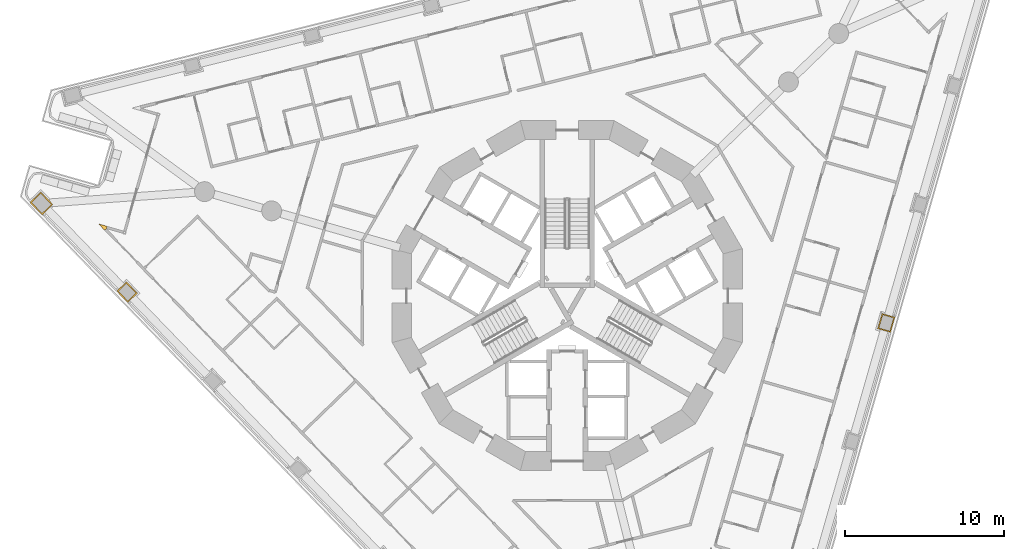
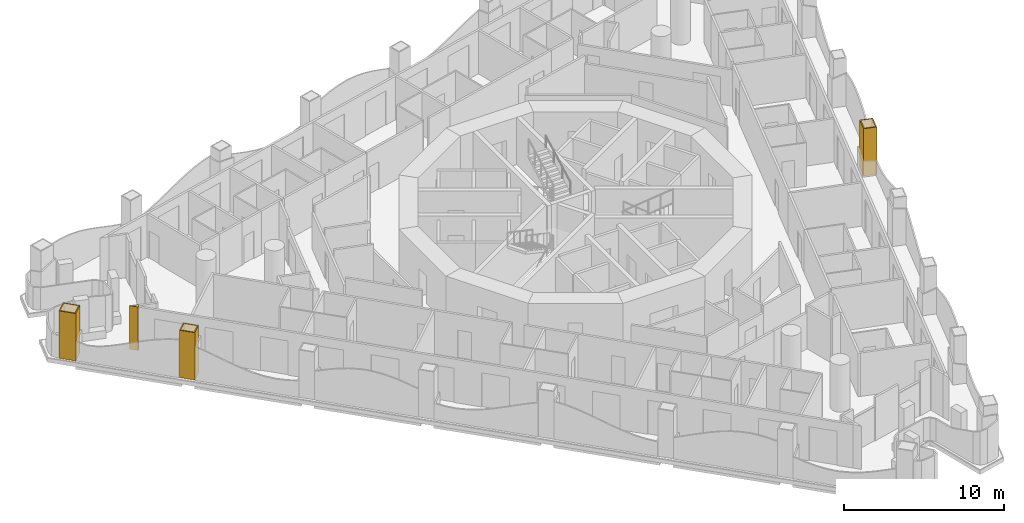
# One storey, part 14 of 18: 4 coverings.
"""IFC4 building model written with IfcOpenShell, lengths in metres."""

from ifc_helpers import new_model, si_unit, direction, frame, origin, place, context, subcontext, project, spatial, polyline, outline, extrude, material, layer, layer_set, type_object, element, save


model = new_model("IFC4")

# Units and contexts
model_context = context("Model", 3, precision=1e-05, world=origin(), true_north=direction((0.0, 1.0)))
body_context = subcontext(model_context, "Body", "Model", "MODEL_VIEW")
ifc_project = project(units=[si_unit("LENGTHUNIT", "METRE"), si_unit("AREAUNIT", "SQUARE_METRE"), si_unit("VOLUMEUNIT", "CUBIC_METRE"), si_unit("PLANEANGLEUNIT", "RADIAN"), si_unit("MASSUNIT", "GRAM", prefix="KILO")], contexts=[model_context])

# Site, building, storey
site_placement = place(None, origin())
site = spatial("IfcSite", under=ifc_project, at=site_placement, CompositionType="ELEMENT")
building_placement = place(site_placement, origin())
building = spatial("IfcBuilding", under=site, at=building_placement, Name="Trine Commons Tower", CompositionType="ELEMENT")
storey_placement = place(building_placement, frame((0.0, 0.0, 90.89990234375)))
storey = spatial("IfcBuildingStorey", under=building, at=storey_placement, Name="L22", CompositionType="ELEMENT", Elevation=90.89990234375)

# Coverings
ifc_material_1 = material(Name="Aluminium-framed insulated wall panel", Category="aluminium")
ifc_layer_1 = layer(ifc_material_1, 0.14990234375)
ifc_layer_set_1 = layer_set([ifc_layer_1], Name="Aluminium-framed insulated wall panel")
covering_type_1 = type_object("IfcCoveringType", Name="Glazing corner post, aluminium", PredefinedType="CLADDING", material=ifc_layer_set_1)
covering_1_placement = place(storey_placement, origin())
element("IfcCovering", 1, at=covering_1_placement, inside=storey, type_object=covering_type_1, Name="Glazing corner post 3-01", PredefinedType="CLADDING", context=body_context, shape_type="SweptSolid", body=[
    extrude(outline(polyline([(50.897216796875, 66.611083984375), (51.005126953125, 66.71533203125), (51.04638671875, 66.859619140625), (50.50830078125, 67.013916015625), (50.897216796875, 66.611083984375)])), origin(), (0.0, 0.0, 1.0), 3.300048828125),
])
ifc_material_2 = material(Name="Limestone, honed", Category="masonry")
ifc_layer_2 = layer(ifc_material_2, 0.074951171875)
ifc_layer_set_2 = layer_set([ifc_layer_2], Name="Limestone, honed")
covering_type_2 = type_object("IfcCoveringType", Name="Limestone column cladding 75", PredefinedType="CLADDING", material=ifc_layer_set_2)
covering_2_placement = place(storey_placement, origin())
element("IfcCovering", 2, at=covering_2_placement, inside=storey, type_object=covering_type_2, Name="Limestone pier cladding 3-07", PredefinedType="CLADDING", context=body_context, shape_type="SweptSolid", body=[
    extrude(outline(polyline([(52.265380859375, 63.373291015625), (51.654052734375, 62.78271484375), (52.3486328125, 62.0634765625), (52.960205078125, 62.65380859375), (52.265380859375, 63.373291015625)]), holes=[polyline([(52.263671875, 63.26708984375), (51.760009765625, 62.781005859375), (52.3505859375, 62.16943359375), (52.85400390625, 62.65576171875), (52.263671875, 63.26708984375)])]), origin(), (0.0, 0.0, 1.0), 3.60009765625),
])
covering_3_placement = place(storey_placement, origin())
element("IfcCovering", 3, at=covering_3_placement, inside=storey, type_object=covering_type_2, Name="Limestone pier cladding 3-08", PredefinedType="CLADDING", context=body_context, shape_type="SweptSolid", body=[
    extrude(outline(polyline([(46.877685546875, 69.0244140625), (46.194580078125, 68.364501953125), (46.95849609375, 67.572998046875), (47.641845703125, 68.23291015625), (46.877685546875, 69.0244140625)]), holes=[polyline([(46.8759765625, 68.918212890625), (46.300537109375, 68.362548828125), (46.96044921875, 67.67919921875), (47.535888671875, 68.23486328125), (46.8759765625, 68.918212890625)])]), origin(), (0.0, 0.0, 1.0), 3.60009765625),
])
covering_4_placement = place(storey_placement, origin())
element("IfcCovering", 4, at=covering_4_placement, inside=storey, type_object=covering_type_2, Name="Limestone pier cladding 3-20", PredefinedType="CLADDING", context=body_context, shape_type="SweptSolid", body=[
    extrude(outline(polyline([(100.61865234375, 61.14306640625), (99.801513671875, 61.377197265625), (99.52587890625, 60.416015625), (100.343017578125, 60.181640625), (100.61865234375, 61.14306640625)]), holes=[polyline([(100.52587890625, 61.091552734375), (99.85302734375, 61.284423828125), (99.61865234375, 60.46728515625), (100.29150390625, 60.2744140625), (100.52587890625, 61.091552734375)])]), origin(), (0.0, 0.0, 1.0), 3.60009765625),
])

save(model, "model.ifc")
